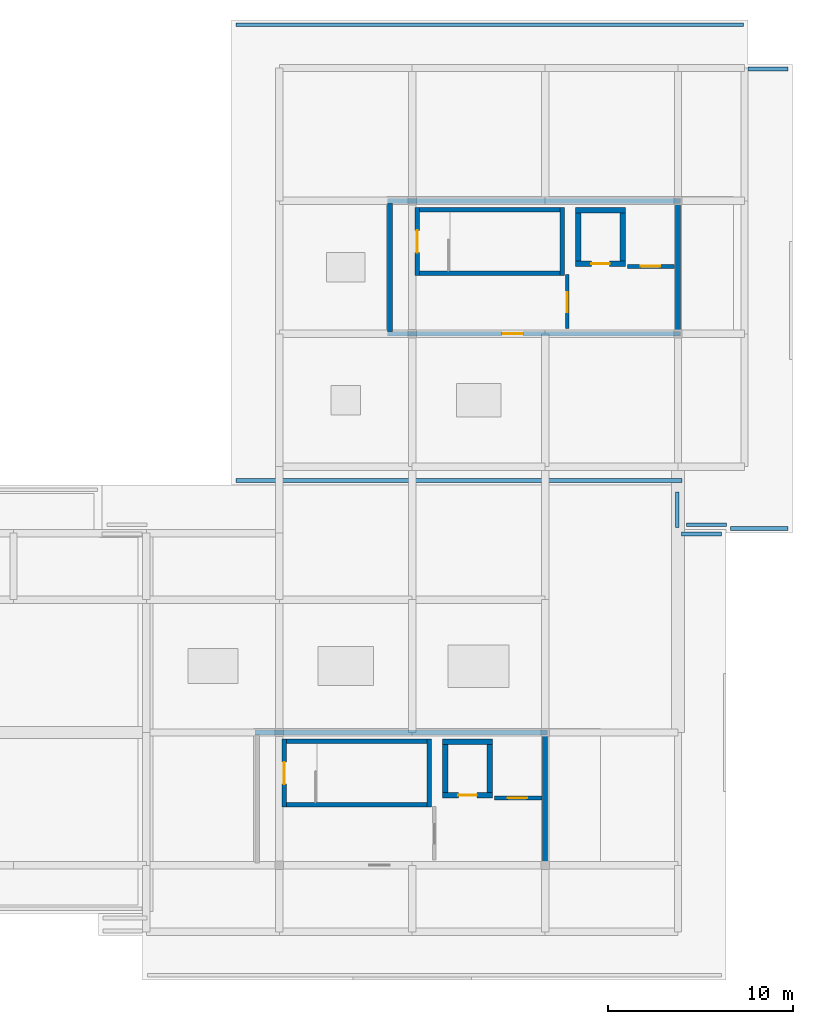
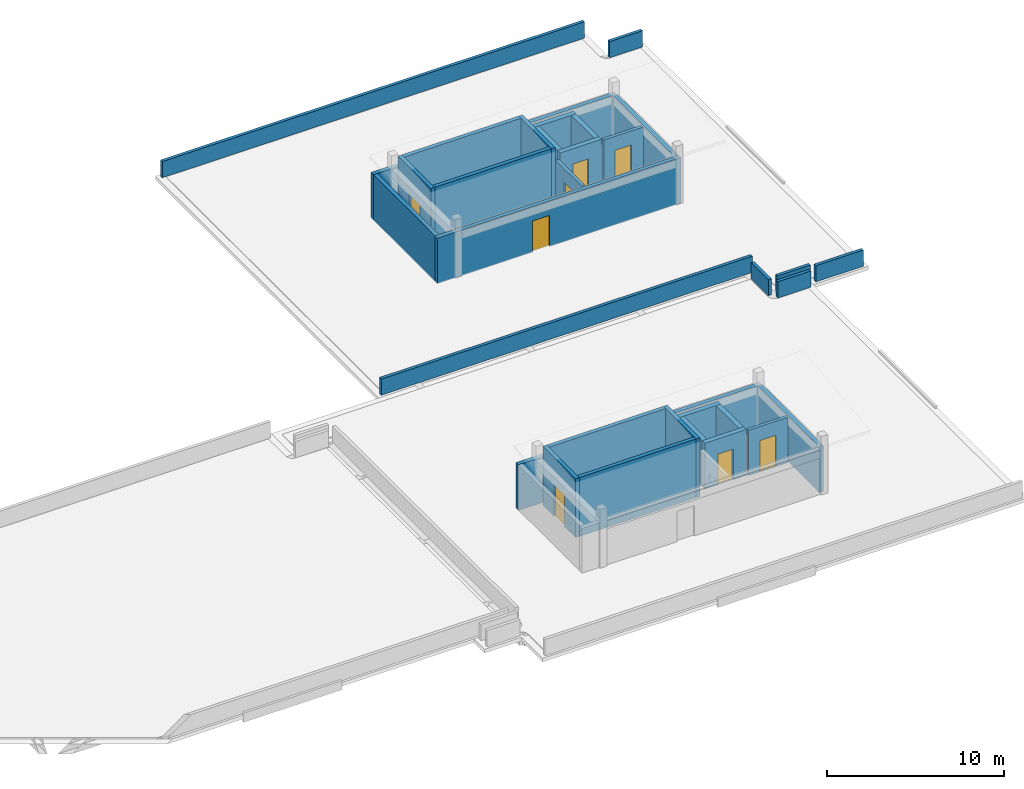
# One storey, part 3 of 4: 32 walls, 8 doors, 8 openings.
"""IFC4 building model written with IfcOpenShell, lengths in metres."""

from ifc_helpers import new_model, si_unit, direction, frame, frame_2d, origin, place, context, subcontext, project, spatial, rectangle, extrude, material, layer, layer_set, type_object, element, fill, save


model = new_model("IFC4")

# Units and contexts
model_context = context("Model", 3, precision=1e-05, world=origin(), true_north=direction((0.0, 1.0)))
body_context = subcontext(model_context, "Body", "Model", "MODEL_VIEW")
ifc_project = project(units=[si_unit("LENGTHUNIT", "METRE"), si_unit("AREAUNIT", "SQUARE_METRE"), si_unit("VOLUMEUNIT", "CUBIC_METRE"), si_unit("PLANEANGLEUNIT", "RADIAN"), si_unit("MASSUNIT", "GRAM", prefix="KILO")], contexts=[model_context])

# Site, building, storey
site_placement = place(None, origin())
site = spatial("IfcSite", under=ifc_project, at=site_placement, CompositionType="ELEMENT")
building_placement = place(site_placement, origin())
building = spatial("IfcBuilding", under=site, at=building_placement, Name="Seraya Terrace Polytechnic", CompositionType="ELEMENT")
storey_placement = place(building_placement, frame((0.0, 0.0, 36.89990234375)))
storey = spatial("IfcBuildingStorey", under=building, at=storey_placement, Name="RF", CompositionType="ELEMENT", Elevation=36.89990234375)

# Walls
ifc_material_1 = material(Name="Precast concrete C40/50", Category="concrete")
ifc_layer_1 = layer(ifc_material_1, 0.260009765625, Name="EW-03")
ifc_layer_set_1 = layer_set([ifc_layer_1], Name="Precast concrete C40/50")
wall_type_1 = type_object("IfcWallType", Name="EW-03", PredefinedType="SOLIDWALL", material=ifc_layer_set_1)
wall_1_placement = place(storey_placement, frame((77.8701171875, 14.39990234375, 0.0), z_axis=(0.0, 0.0, 1.0), x_axis=(1.0, 0.0, 0.0)))
element("IfcWall", 1, at=wall_1_placement, inside=storey, type_object=wall_type_1, Name="Roof headhouse North wall RF", PredefinedType="SOLIDWALL", context=body_context, shape_type="SweptSolid", body=[
    extrude(rectangle(XDim=15.85986328125, YDim=0.260009765625, at=frame_2d((7.929931640625, 0.0))), origin(), (0.0, 0.0, 1.0), 3.150146484375),
])
wall_2_placement = place(storey_placement, frame((93.60009765625, 7.330078125, 0.0), z_axis=(0.0, 0.0, 1.0), x_axis=(0.0, 1.0, 0.0)))
element("IfcWall", 2, at=wall_2_placement, inside=storey, type_object=wall_type_1, Name="Roof headhouse East wall RF", PredefinedType="SOLIDWALL", context=body_context, shape_type="SweptSolid", body=[
    extrude(rectangle(XDim=6.93994140625, YDim=0.260009765625, at=frame_2d((3.469970703125, 0.0))), origin(), (0.0, 0.0, 1.0), 3.150146484375),
])

# Wall, opening, door
wall_3_placement = place(storey_placement, frame((85.070068359375, 36.0, 0.0), z_axis=(0.0, 0.0, 1.0), x_axis=(1.0, 0.0, 0.0)))
wall_3 = element("IfcWall", 3, at=wall_3_placement, inside=storey, type_object=wall_type_1, Name="Roof headhouse B South wall RF", PredefinedType="SOLIDWALL", context=body_context, shape_type="SweptSolid", body=[
    extrude(rectangle(XDim=15.85986328125, YDim=0.260009765625, at=frame_2d((7.929931640625, 0.0))), origin(), (0.0, 0.0, 1.0), 3.150146484375),
])
opening_1_placement = place(wall_3_placement, frame((6.199951171875, 0.0, 0.0)))
opening_1 = element("IfcOpeningElement", 4, at=opening_1_placement, cuts=wall_3, Name="Opening FD-R1", PredefinedType="OPENING", context=body_context, shape_type="SweptSolid", body=[
    extrude(rectangle(XDim=1.1201171875, YDim=2.14990234375, at=frame_2d((0.56005859375, 1.074951171875))), frame((0.0, 0.14208984375, 0.0), z_axis=(0.0, -1.0, 0.0), x_axis=(1.0, 0.0, 0.0)), (0.0, 0.0, 1.0), 0.283935546875),
])
ifc_material_2 = material(Name="Steel S355J2", Category="steel")
door_type_1 = type_object("IfcDoorType", Name="FD-R1", OperationType="SINGLE_SWING_RIGHT", PredefinedType="DOOR", material=ifc_material_2)
door_1_placement = place(opening_1_placement, frame((1.1201171875, 0.0, 0.0), z_axis=(0.0, 0.0, 1.0), x_axis=(-1.0, 0.0, 0.0)))
door_1 = element("IfcDoor", 5, at=door_1_placement, inside=storey, type_object=door_type_1, Name="Door FD-R1 DR-RF-MAINTENANCE-ACCESS-02 in WL-RF-HHB-S", OperationType="SINGLE_SWING_RIGHT", OverallHeight=2.14990234375, OverallWidth=1.1201171875, PredefinedType="DOOR", context=body_context, shape_type="SweptSolid", body=[
    extrude(rectangle(XDim=1.1201171875, YDim=2.14990234375, at=frame_2d((0.56005859375, 1.074951171875))), frame((0.0, 0.02490234375, 0.0), z_axis=(0.0, -1.0, 0.0), x_axis=(1.0, 0.0, 0.0)), (0.0, 0.0, 1.0), 0.050048828125),
])
fill(opening_1, door_1)

# Walls
wall_4_placement = place(storey_placement, frame((85.070068359375, 43.199951171875, 0.0), z_axis=(0.0, 0.0, 1.0), x_axis=(1.0, 0.0, 0.0)))
element("IfcWall", 6, at=wall_4_placement, inside=storey, type_object=wall_type_1, Name="Roof headhouse B North wall RF", PredefinedType="SOLIDWALL", context=body_context, shape_type="SweptSolid", body=[
    extrude(rectangle(XDim=15.85986328125, YDim=0.260009765625, at=frame_2d((7.929931640625, 0.0))), origin(), (0.0, 0.0, 1.0), 3.150146484375),
])
for number, where, z_axis, x_axis, name in (
    (7, (85.199951171875, 36.1298828125, 0.0), (0.0, 0.0, 1.0), (0.0, 1.0, 0.0), "Roof headhouse B West wall RF"),
    (8, (100.800048828125, 36.1298828125, 0.0), (0.0, 0.0, 1.0), (0.0, 1.0, 0.0), "Roof headhouse B East wall RF"),
):
    element("IfcWall", number, at=place(storey_placement, frame(where, z_axis=z_axis, x_axis=x_axis)), inside=storey, type_object=wall_type_1, Name=name, PredefinedType="SOLIDWALL", context=body_context, shape_type="SweptSolid", body=[
        extrude(rectangle(XDim=6.940185546875, YDim=0.260009765625, at=frame_2d((3.47021484375, 0.0))), origin(), (0.0, 0.0, 1.0), 3.150146484375),
    ])

# Wall, opening, door
ifc_material_3 = material(Name="Autoclaved aerated concrete blockwork", Category="masonry")
ifc_layer_2 = layer(ifc_material_3, 0.199951171875, Name="PT-01")
ifc_layer_set_2 = layer_set([ifc_layer_2], Name="Autoclaved aerated concrete blockwork")
wall_type_2 = type_object("IfcWallType", Name="PT-01", PredefinedType="PARTITIONING", material=ifc_layer_set_2)
wall_5_placement = place(storey_placement, frame((90.85009765625, 10.85009765625, 0.0), z_axis=(0.0, 0.0, 1.0), x_axis=(1.0, 0.0, 0.0)))
wall_5 = element("IfcWall", 9, at=wall_5_placement, inside=storey, type_object=wall_type_2, Name="Roof plant partition WL-RF-INT-ELC", PredefinedType="PARTITIONING", context=body_context, shape_type="SweptSolid", body=[
    extrude(rectangle(XDim=2.56982421875, YDim=0.199951171875, at=frame_2d((1.284912109375, 0.0))), origin(), (0.0, 0.0, 1.0), 3.1201171875),
])
opening_2_placement = place(wall_5_placement, frame((0.719970703125, 0.0, 0.0)))
opening_2 = element("IfcOpeningElement", 10, at=opening_2_placement, cuts=wall_5, Name="Opening FD-04", PredefinedType="OPENING", context=body_context, shape_type="SweptSolid", body=[
    extrude(rectangle(XDim=1.06005859375, YDim=2.159912109375, at=frame_2d((0.530029296875, 1.080078125))), frame((0.0, 0.11181640625, 0.0), z_axis=(0.0, -1.0, 0.0), x_axis=(1.0, 0.0, 0.0)), (0.0, 0.0, 1.0), 0.223876953125),
])
door_type_2 = type_object("IfcDoorType", Name="FD-04", OperationType="NOTDEFINED", PredefinedType="DOOR", material=ifc_material_2)
door_2_placement = place(opening_2_placement, origin())
door_2 = element("IfcDoor", 11, at=door_2_placement, inside=storey, type_object=door_type_2, Name="Door FD-04 DR-RF-INT-ELC in WL-RF-INT-ELC", OperationType="SINGLE_SWING_LEFT", OverallHeight=2.159912109375, OverallWidth=1.06005859375, PredefinedType="DOOR", context=body_context, shape_type="SweptSolid", body=[
    extrude(rectangle(XDim=1.06005859375, YDim=2.159912109375, at=frame_2d((0.530029296875, 1.080078125))), frame((0.0, 0.02490234375, 0.0), z_axis=(0.0, -1.0, 0.0), x_axis=(1.0, 0.0, 0.0)), (0.0, 0.0, 1.0), 0.050048828125),
])
fill(opening_2, door_2)

wall_6_placement = place(storey_placement, frame((94.800048828125, 36.280029296875, 0.0), z_axis=(0.0, 0.0, 1.0), x_axis=(0.0, 1.0, 0.0)))
wall_6 = element("IfcWall", 12, at=wall_6_placement, inside=storey, type_object=wall_type_2, Name="Roof plant partition WL-RF-INT-SOL", PredefinedType="PARTITIONING", context=body_context, shape_type="SweptSolid", body=[
    extrude(rectangle(XDim=2.919921875, YDim=0.199951171875, at=frame_2d((1.4599609375, 0.0))), origin(), (0.0, 0.0, 1.0), 3.1201171875),
])
opening_3_placement = place(wall_6_placement, frame((0.89990234375, 0.0, 0.0)))
opening_3 = element("IfcOpeningElement", 13, at=opening_3_placement, cuts=wall_6, Name="Opening FD-04", PredefinedType="OPENING", context=body_context, shape_type="SweptSolid", body=[
    extrude(rectangle(XDim=1.06005859375, YDim=2.159912109375, at=frame_2d((0.530029296875, 1.080078125))), frame((0.0, 0.11181640625, 0.0), z_axis=(0.0, -1.0, 0.0), x_axis=(1.0, 0.0, 0.0)), (0.0, 0.0, 1.0), 0.223876953125),
])
door_3_placement = place(opening_3_placement, origin())
door_3 = element("IfcDoor", 14, at=door_3_placement, inside=storey, type_object=door_type_2, Name="Door FD-04 DR-RF-INT-SOL in WL-RF-INT-SOL", OperationType="SINGLE_SWING_LEFT", OverallHeight=2.159912109375, OverallWidth=1.06005859375, PredefinedType="DOOR", context=body_context, shape_type="SweptSolid", body=[
    extrude(rectangle(XDim=1.06005859375, YDim=2.159912109375, at=frame_2d((0.530029296875, 1.080078125))), frame((0.0, 0.02490234375, 0.0), z_axis=(0.0, -1.0, 0.0), x_axis=(1.0, 0.0, 0.0)), (0.0, 0.0, 1.0), 0.050048828125),
])
fill(opening_3, door_3)

wall_7_placement = place(storey_placement, frame((98.050048828125, 39.64990234375, 0.0), z_axis=(0.0, 0.0, 1.0), x_axis=(1.0, 0.0, 0.0)))
wall_7 = element("IfcWall", 15, at=wall_7_placement, inside=storey, type_object=wall_type_2, Name="Roof plant partition WL-RF-INT-ELC2", PredefinedType="PARTITIONING", context=body_context, shape_type="SweptSolid", body=[
    extrude(rectangle(XDim=2.570068359375, YDim=0.199951171875, at=frame_2d((1.28515625, 0.0))), origin(), (0.0, 0.0, 1.0), 3.1201171875),
])
opening_4_placement = place(wall_7_placement, frame((0.719970703125, 0.0, 0.0)))
opening_4 = element("IfcOpeningElement", 16, at=opening_4_placement, cuts=wall_7, Name="Opening FD-04", PredefinedType="OPENING", context=body_context, shape_type="SweptSolid", body=[
    extrude(rectangle(XDim=1.06005859375, YDim=2.159912109375, at=frame_2d((0.530029296875, 1.080078125))), frame((0.0, 0.11181640625, 0.0), z_axis=(0.0, -1.0, 0.0), x_axis=(1.0, 0.0, 0.0)), (0.0, 0.0, 1.0), 0.223876953125),
])
door_4_placement = place(opening_4_placement, origin())
door_4 = element("IfcDoor", 17, at=door_4_placement, inside=storey, type_object=door_type_2, Name="Door FD-04 DR-RF-INT-ELC2 in WL-RF-INT-ELC2", OperationType="SINGLE_SWING_LEFT", OverallHeight=2.159912109375, OverallWidth=1.06005859375, PredefinedType="DOOR", context=body_context, shape_type="SweptSolid", body=[
    extrude(rectangle(XDim=1.06005859375, YDim=2.159912109375, at=frame_2d((0.530029296875, 1.080078125))), frame((0.0, 0.02490234375, 0.0), z_axis=(0.0, -1.0, 0.0), x_axis=(1.0, 0.0, 0.0)), (0.0, 0.0, 1.0), 0.050048828125),
])
fill(opening_4, door_4)

# Walls
ifc_layer_3 = layer(ifc_material_1, 0.199951171875, Name="PW-P1")
ifc_layer_set_3 = layer_set([ifc_layer_3], Name="Precast concrete C40/50")
wall_type_3 = type_object("IfcWallType", Name="PW-P1", PredefinedType="PARAPET", material=ifc_layer_set_3)
wall_8_placement = place(storey_placement, frame((100.75, 27.43994140625, 0.0), z_axis=(0.0, 0.0, 1.0), x_axis=(0.0, -1.0, 0.0)))
element("IfcWall", 18, at=wall_8_placement, inside=storey, type_object=wall_type_3, Name="Roof parapet ROOF-RF-SE 1.1", PredefinedType="PARAPET", context=body_context, shape_type="SweptSolid", body=[
    extrude(rectangle(XDim=1.929931640625, YDim=0.199951171875, at=frame_2d((0.96484375, 0.0))), origin(), (0.0, 0.0, 1.0), 1.1201171875),
])
wall_9_placement = place(storey_placement, frame((101.0, 25.14990234375, 0.0), z_axis=(0.0, 0.0, 1.0), x_axis=(1.0, 0.0, 0.0)))
element("IfcWall", 19, at=wall_9_placement, inside=storey, type_object=wall_type_3, Name="Roof parapet ROOF-RF-SE 6.1", PredefinedType="PARAPET", context=body_context, shape_type="SweptSolid", body=[
    extrude(rectangle(XDim=2.14990234375, YDim=0.199951171875, at=frame_2d((1.074951171875, 0.0))), origin(), (0.0, 0.0, 1.0), 1.1201171875),
])
wall_10_placement = place(storey_placement, frame((76.85009765625, 52.75, 0.0), z_axis=(0.0, 0.0, 1.0), x_axis=(1.0, 0.0, 0.0)))
element("IfcWall", 20, at=wall_10_placement, inside=storey, type_object=wall_type_3, Name="Roof parapet ROOF-RF-SPINE 1.1", PredefinedType="PARAPET", context=body_context, shape_type="SweptSolid", body=[
    extrude(rectangle(XDim=27.5, YDim=0.199951171875, at=frame_2d((13.75, 0.0))), origin(), (0.0, 0.0, 1.0), 1.1201171875),
])
wall_11_placement = place(storey_placement, frame((104.60009765625, 50.35009765625, 0.0), z_axis=(0.0, 0.0, 1.0), x_axis=(1.0, 0.0, 0.0)))
element("IfcWall", 21, at=wall_11_placement, inside=storey, type_object=wall_type_3, Name="Roof parapet ROOF-RF-SPINE 7.1", PredefinedType="PARAPET", context=body_context, shape_type="SweptSolid", body=[
    extrude(rectangle(XDim=2.14990234375, YDim=0.199951171875, at=frame_2d((1.074951171875, 0.0))), origin(), (0.0, 0.0, 1.0), 1.1201171875),
])
wall_12_placement = place(storey_placement, frame((106.75, 25.449951171875, 0.0), z_axis=(0.0, 0.0, 1.0), x_axis=(-1.0, 0.0, 0.0)))
element("IfcWall", 22, at=wall_12_placement, inside=storey, type_object=wall_type_3, Name="Roof parapet ROOF-RF-SPINE 9.1", PredefinedType="PARAPET", context=body_context, shape_type="SweptSolid", body=[
    extrude(rectangle(XDim=3.10400390625, YDim=0.199951171875, at=frame_2d((1.552001953125, 0.0))), origin(), (0.0, 0.0, 1.0), 1.1201171875),
])
wall_13_placement = place(storey_placement, frame((103.4248046875, 25.65380859375, 0.0), z_axis=(0.0, 0.0, 1.0), x_axis=(-0.999999841836, 0.000562429607, 0.0)))
element("IfcWall", 23, at=wall_13_placement, inside=storey, type_object=wall_type_3, Name="Roof parapet ROOF-RF-SPINE 14.1", PredefinedType="PARAPET", context=body_context, shape_type="SweptSolid", body=[
    extrude(rectangle(XDim=2.17041015625, YDim=0.199951171875, at=frame_2d((1.085205078125, 0.0))), origin(), (0.0, 0.0, 1.0), 1.1201171875),
])
wall_14_placement = place(storey_placement, frame((101.02490234375, 28.0537109375, 0.0), z_axis=(0.0, 0.0, 1.0), x_axis=(-0.999999998725, 5.0494849e-05, 0.0)))
element("IfcWall", 24, at=wall_14_placement, inside=storey, type_object=wall_type_3, Name="Roof parapet ROOF-RF-SPINE 20.1", PredefinedType="PARAPET", context=body_context, shape_type="SweptSolid", body=[
    extrude(rectangle(XDim=24.1748046875, YDim=0.199951171875, at=frame_2d((12.08740234375, 0.0))), origin(), (0.0, 0.0, 1.0), 1.1201171875),
])

# Wall, opening, door
ifc_material_4 = material(Name="Concrete C40/50", Category="concrete")
ifc_layer_4 = layer(ifc_material_4, 0.300048828125, Name="SW-01")
ifc_layer_set_4 = layer_set([ifc_layer_4], Name="Concrete C40/50")
wall_type_4 = type_object("IfcWallType", Name="SW-01", PredefinedType="SHEAR", material=ifc_layer_set_4)
wall_15_placement = place(storey_placement, frame((88.050048828125, 11.0, 0.0), z_axis=(0.0, 0.0, 1.0), x_axis=(1.0, 0.0, 0.0)))
wall_15 = element("IfcWall", 25, at=wall_15_placement, inside=storey, type_object=wall_type_4, Name="Lift shaft FL-01 South wall RF", PredefinedType="SHEAR", context=body_context, shape_type="SweptSolid", body=[
    extrude(rectangle(XDim=2.699951171875, YDim=0.300048828125, at=frame_2d((1.35009765625, 0.0))), origin(), (0.0, 0.0, 1.0), 3.150146484375),
])
opening_5_placement = place(wall_15_placement, frame((0.85009765625, 0.0, 0.0)))
opening_5 = element("IfcOpeningElement", 26, at=opening_5_placement, cuts=wall_15, Name="Opening LD-01", PredefinedType="OPENING", context=body_context, shape_type="SweptSolid", body=[
    extrude(rectangle(XDim=1.0, YDim=2.10009765625, at=frame_2d((0.5, 1.050048828125))), frame((0.0, 0.162109375, 0.0), z_axis=(0.0, -1.0, 0.0), x_axis=(1.0, 0.0, 0.0)), (0.0, 0.0, 1.0), 0.323974609375),
])
door_type_3 = type_object("IfcDoorType", Name="LD-01", OperationType="SLIDING_TO_LEFT", PredefinedType="DOOR", material=ifc_material_2)
door_5_placement = place(opening_5_placement, frame((1.0, 0.0, 0.0), z_axis=(0.0, 0.0, 1.0), x_axis=(-1.0, 0.0, 0.0)))
door_5 = element("IfcDoor", 27, at=door_5_placement, inside=storey, type_object=door_type_3, Name="Door LD-01 LD-FL-01-RF in WL-SHF-FL-01-RF-S", OperationType="SLIDING_TO_LEFT", OverallHeight=2.10009765625, OverallWidth=1.0, PredefinedType="DOOR", context=body_context, shape_type="SweptSolid", body=[
    extrude(rectangle(XDim=1.0, YDim=2.10009765625, at=frame_2d((0.5, 1.050048828125))), frame((0.0, 0.02490234375, 0.0), z_axis=(0.0, -1.0, 0.0), x_axis=(1.0, 0.0, 0.0)), (0.0, 0.0, 1.0), 0.050048828125),
])
fill(opening_5, door_5)

# Walls
wall_16_placement = place(storey_placement, frame((88.050048828125, 13.89990234375, 0.0), z_axis=(0.0, 0.0, 1.0), x_axis=(1.0, 0.0, 0.0)))
element("IfcWall", 28, at=wall_16_placement, inside=storey, type_object=wall_type_4, Name="Lift shaft FL-01 North wall RF", PredefinedType="SHEAR", context=body_context, shape_type="SweptSolid", body=[
    extrude(rectangle(XDim=2.699951171875, YDim=0.300048828125, at=frame_2d((1.35009765625, 0.0))), origin(), (0.0, 0.0, 1.0), 3.150146484375),
])
for number, where, z_axis, x_axis, name in (
    (29, (88.199951171875, 11.14990234375, 0.0), (0.0, 0.0, 1.0), (0.0, 1.0, 0.0), "Lift shaft FL-01 West wall RF"),
    (30, (90.60009765625, 11.14990234375, 0.0), (0.0, 0.0, 1.0), (0.0, 1.0, 0.0), "Lift shaft FL-01 East wall RF"),
):
    element("IfcWall", number, at=place(storey_placement, frame(where, z_axis=z_axis, x_axis=x_axis)), inside=storey, type_object=wall_type_4, Name=name, PredefinedType="SHEAR", context=body_context, shape_type="SweptSolid", body=[
        extrude(rectangle(XDim=2.60009765625, YDim=0.300048828125, at=frame_2d((1.300048828125, 0.0))), origin(), (0.0, 0.0, 1.0), 3.150146484375),
    ])

# Wall, opening, door
wall_17_placement = place(storey_placement, frame((95.25, 39.800048828125, 0.0), z_axis=(0.0, 0.0, 1.0), x_axis=(1.0, 0.0, 0.0)))
wall_17 = element("IfcWall", 31, at=wall_17_placement, inside=storey, type_object=wall_type_4, Name="Lift shaft FL-02 South wall RF", PredefinedType="SHEAR", context=body_context, shape_type="SweptSolid", body=[
    extrude(rectangle(XDim=2.699951171875, YDim=0.300048828125, at=frame_2d((1.35009765625, 0.0))), origin(), (0.0, 0.0, 1.0), 3.150146484375),
])
opening_6_placement = place(wall_17_placement, frame((0.85009765625, 0.0, 0.0)))
opening_6 = element("IfcOpeningElement", 32, at=opening_6_placement, cuts=wall_17, Name="Opening LD-01", PredefinedType="OPENING", context=body_context, shape_type="SweptSolid", body=[
    extrude(rectangle(XDim=1.0, YDim=2.10009765625, at=frame_2d((0.5, 1.050048828125))), frame((0.0, 0.162109375, 0.0), z_axis=(0.0, -1.0, 0.0), x_axis=(1.0, 0.0, 0.0)), (0.0, 0.0, 1.0), 0.323974609375),
])
door_6_placement = place(opening_6_placement, frame((1.0, 0.0, 0.0), z_axis=(0.0, 0.0, 1.0), x_axis=(-1.0, 0.0, 0.0)))
door_6 = element("IfcDoor", 33, at=door_6_placement, inside=storey, type_object=door_type_3, Name="Door LD-01 LD-FL-02-RF in WL-SHF-FL-02-RF-S", OperationType="SLIDING_TO_RIGHT", OverallHeight=2.10009765625, OverallWidth=1.0, PredefinedType="DOOR", context=body_context, shape_type="SweptSolid", body=[
    extrude(rectangle(XDim=1.0, YDim=2.10009765625, at=frame_2d((0.5, 1.050048828125))), frame((0.0, 0.02490234375, 0.0), z_axis=(0.0, -1.0, 0.0), x_axis=(1.0, 0.0, 0.0)), (0.0, 0.0, 1.0), 0.050048828125),
])
fill(opening_6, door_6)

# Walls
wall_18_placement = place(storey_placement, frame((95.25, 42.699951171875, 0.0), z_axis=(0.0, 0.0, 1.0), x_axis=(1.0, 0.0, 0.0)))
element("IfcWall", 34, at=wall_18_placement, inside=storey, type_object=wall_type_4, Name="Lift shaft FL-02 North wall RF", PredefinedType="SHEAR", context=body_context, shape_type="SweptSolid", body=[
    extrude(rectangle(XDim=2.699951171875, YDim=0.300048828125, at=frame_2d((1.35009765625, 0.0))), origin(), (0.0, 0.0, 1.0), 3.150146484375),
])
for number, where, z_axis, x_axis, name in (
    (35, (95.39990234375, 39.949951171875, 0.0), (0.0, 0.0, 1.0), (0.0, 1.0, 0.0), "Lift shaft FL-02 West wall RF"),
    (36, (97.800048828125, 39.949951171875, 0.0), (0.0, 0.0, 1.0), (0.0, 1.0, 0.0), "Lift shaft FL-02 East wall RF"),
):
    element("IfcWall", number, at=place(storey_placement, frame(where, z_axis=z_axis, x_axis=x_axis)), inside=storey, type_object=wall_type_4, Name=name, PredefinedType="SHEAR", context=body_context, shape_type="SweptSolid", body=[
        extrude(rectangle(XDim=2.60009765625, YDim=0.300048828125, at=frame_2d((1.300048828125, 0.0))), origin(), (0.0, 0.0, 1.0), 3.150146484375),
    ])

# Wall, opening, door
ifc_layer_5 = layer(ifc_material_4, 0.25, Name="SW-02")
ifc_layer_set_5 = layer_set([ifc_layer_5], Name="Concrete C40/50")
wall_type_5 = type_object("IfcWallType", Name="SW-02", PredefinedType="SHEAR", material=ifc_layer_set_5)
wall_19_placement = place(storey_placement, frame((79.47509765625, 10.35009765625, 0.0), z_axis=(0.0, 0.0, 1.0), x_axis=(0.0, 1.0, 0.0)))
wall_19 = element("IfcWall", 37, at=wall_19_placement, inside=storey, type_object=wall_type_5, Name="Stairwell ST-01 West wall RF", PredefinedType="SHEAR", context=body_context, shape_type="SweptSolid", body=[
    extrude(rectangle(XDim=3.699951171875, YDim=0.25, at=frame_2d((1.85009765625, 0.0))), origin(), (0.0, 0.0, 1.0), 4.050048828125),
])
opening_7_placement = place(wall_19_placement, frame((1.25, 0.0, 0.0)))
opening_7 = element("IfcOpeningElement", 38, at=opening_7_placement, cuts=wall_19, Name="Opening FD-01", PredefinedType="OPENING", context=body_context, shape_type="SweptSolid", body=[
    extrude(rectangle(XDim=1.199951171875, YDim=2.14990234375, at=frame_2d((0.60009765625, 1.074951171875))), frame((0.0, 0.136962890625, 0.0), z_axis=(0.0, -1.0, 0.0), x_axis=(1.0, 0.0, 0.0)), (0.0, 0.0, 1.0), 0.27392578125),
])
door_type_4 = type_object("IfcDoorType", Name="FD-01", OperationType="NOTDEFINED", PredefinedType="DOOR", material=ifc_material_2)
door_7_placement = place(opening_7_placement, frame((1.199951171875, 0.0, 0.0), z_axis=(0.0, 0.0, 1.0), x_axis=(-1.0, 0.0, 0.0)))
door_7 = element("IfcDoor", 39, at=door_7_placement, inside=storey, type_object=door_type_4, Name="Door FD-01 DR-STR-ST-01-RF in WL-STR-ST-01-RF-W", OperationType="SINGLE_SWING_RIGHT", OverallHeight=2.14990234375, OverallWidth=1.199951171875, PredefinedType="DOOR", context=body_context, shape_type="SweptSolid", body=[
    extrude(rectangle(XDim=1.199951171875, YDim=2.14990234375, at=frame_2d((0.60009765625, 1.074951171875))), frame((0.0, 0.02490234375, 0.0), z_axis=(0.0, -1.0, 0.0), x_axis=(1.0, 0.0, 0.0)), (0.0, 0.0, 1.0), 0.050048828125),
])
fill(opening_7, door_7)

# Walls
wall_20_placement = place(storey_placement, frame((87.324951171875, 10.35009765625, 0.0), z_axis=(0.0, 0.0, 1.0), x_axis=(0.0, 1.0, 0.0)))
element("IfcWall", 40, at=wall_20_placement, inside=storey, type_object=wall_type_5, Name="Stairwell ST-01 East wall RF", PredefinedType="SHEAR", context=body_context, shape_type="SweptSolid", body=[
    extrude(rectangle(XDim=3.699951171875, YDim=0.25, at=frame_2d((1.85009765625, 0.0))), origin(), (0.0, 0.0, 1.0), 4.050048828125),
])
for number, where, z_axis, x_axis, name in (
    (41, (79.60009765625, 10.47509765625, 0.0), (0.0, 0.0, 1.0), (1.0, 0.0, 0.0), "Stairwell ST-01 South wall RF"),
    (42, (79.60009765625, 13.925048828125, 0.0), (0.0, 0.0, 1.0), (1.0, 0.0, 0.0), "Stairwell ST-01 North wall RF"),
):
    element("IfcWall", number, at=place(storey_placement, frame(where, z_axis=z_axis, x_axis=x_axis)), inside=storey, type_object=wall_type_5, Name=name, PredefinedType="SHEAR", context=body_context, shape_type="SweptSolid", body=[
        extrude(rectangle(XDim=7.599853515625, YDim=0.25, at=frame_2d((3.7998046875, 0.0))), origin(), (0.0, 0.0, 1.0), 4.050048828125),
    ])

# Wall, opening, door
wall_21_placement = place(storey_placement, frame((86.675048828125, 39.14990234375, 0.0), z_axis=(0.0, 0.0, 1.0), x_axis=(0.0, 1.0, 0.0)))
wall_21 = element("IfcWall", 43, at=wall_21_placement, inside=storey, type_object=wall_type_5, Name="Stairwell ST-02 West wall RF", PredefinedType="SHEAR", context=body_context, shape_type="SweptSolid", body=[
    extrude(rectangle(XDim=3.7001953125, YDim=0.25, at=frame_2d((1.85009765625, 0.0))), origin(), (0.0, 0.0, 1.0), 4.050048828125),
])
opening_8_placement = place(wall_21_placement, frame((1.25, 0.0, 0.0)))
opening_8 = element("IfcOpeningElement", 44, at=opening_8_placement, cuts=wall_21, Name="Opening FD-01", PredefinedType="OPENING", context=body_context, shape_type="SweptSolid", body=[
    extrude(rectangle(XDim=1.199951171875, YDim=2.14990234375, at=frame_2d((0.60009765625, 1.074951171875))), frame((0.0, 0.136962890625, 0.0), z_axis=(0.0, -1.0, 0.0), x_axis=(1.0, 0.0, 0.0)), (0.0, 0.0, 1.0), 0.27392578125),
])
door_8_placement = place(opening_8_placement, frame((1.199951171875, 0.0, 0.0), z_axis=(0.0, 0.0, 1.0), x_axis=(-1.0, 0.0, 0.0)))
door_8 = element("IfcDoor", 45, at=door_8_placement, inside=storey, type_object=door_type_4, Name="Door FD-01 DR-STR-ST-02-RF in WL-STR-ST-02-RF-W", OperationType="SINGLE_SWING_LEFT", OverallHeight=2.14990234375, OverallWidth=1.199951171875, PredefinedType="DOOR", context=body_context, shape_type="SweptSolid", body=[
    extrude(rectangle(XDim=1.199951171875, YDim=2.14990234375, at=frame_2d((0.60009765625, 1.074951171875))), frame((0.0, 0.02490234375, 0.0), z_axis=(0.0, -1.0, 0.0), x_axis=(1.0, 0.0, 0.0)), (0.0, 0.0, 1.0), 0.050048828125),
])
fill(opening_8, door_8)

# Walls
wall_22_placement = place(storey_placement, frame((94.52490234375, 39.14990234375, 0.0), z_axis=(0.0, 0.0, 1.0), x_axis=(0.0, 1.0, 0.0)))
element("IfcWall", 46, at=wall_22_placement, inside=storey, type_object=wall_type_5, Name="Stairwell ST-02 East wall RF", PredefinedType="SHEAR", context=body_context, shape_type="SweptSolid", body=[
    extrude(rectangle(XDim=3.7001953125, YDim=0.25, at=frame_2d((1.85009765625, 0.0))), origin(), (0.0, 0.0, 1.0), 4.050048828125),
])
for number, where, z_axis, x_axis, name in (
    (47, (86.800048828125, 39.27490234375, 0.0), (0.0, 0.0, 1.0), (1.0, 0.0, 0.0), "Stairwell ST-02 South wall RF"),
    (48, (86.800048828125, 42.72509765625, 0.0), (0.0, 0.0, 1.0), (1.0, 0.0, 0.0), "Stairwell ST-02 North wall RF"),
):
    element("IfcWall", number, at=place(storey_placement, frame(where, z_axis=z_axis, x_axis=x_axis)), inside=storey, type_object=wall_type_5, Name=name, PredefinedType="SHEAR", context=body_context, shape_type="SweptSolid", body=[
        extrude(rectangle(XDim=7.599853515625, YDim=0.25, at=frame_2d((3.7998046875, 0.0))), origin(), (0.0, 0.0, 1.0), 4.050048828125),
    ])

save(model, "model.ifc")
